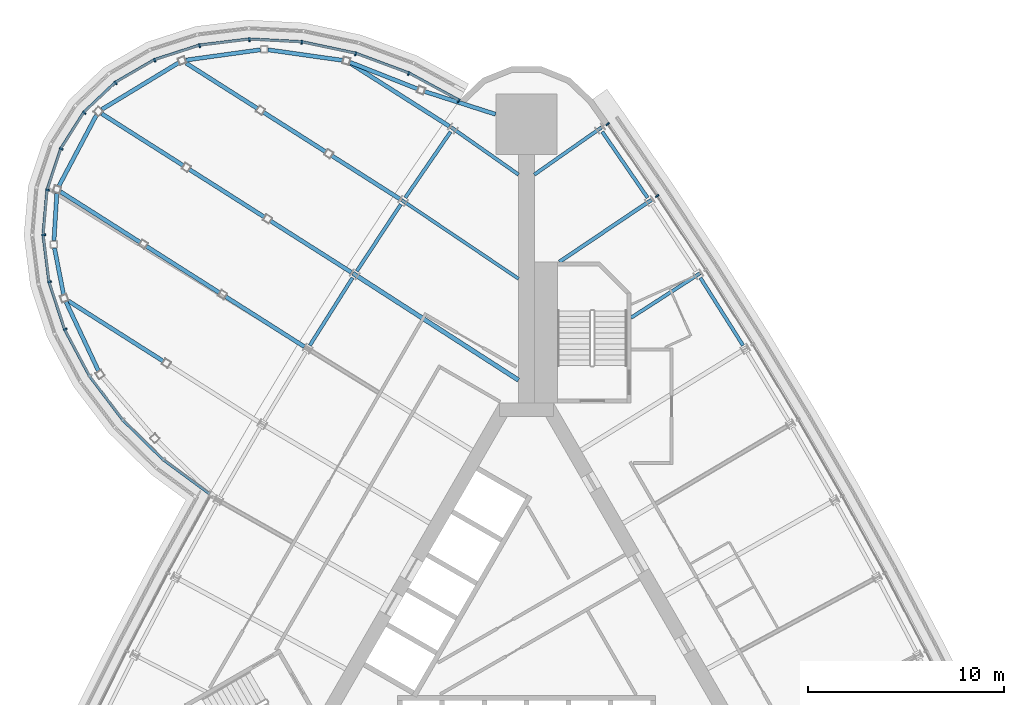
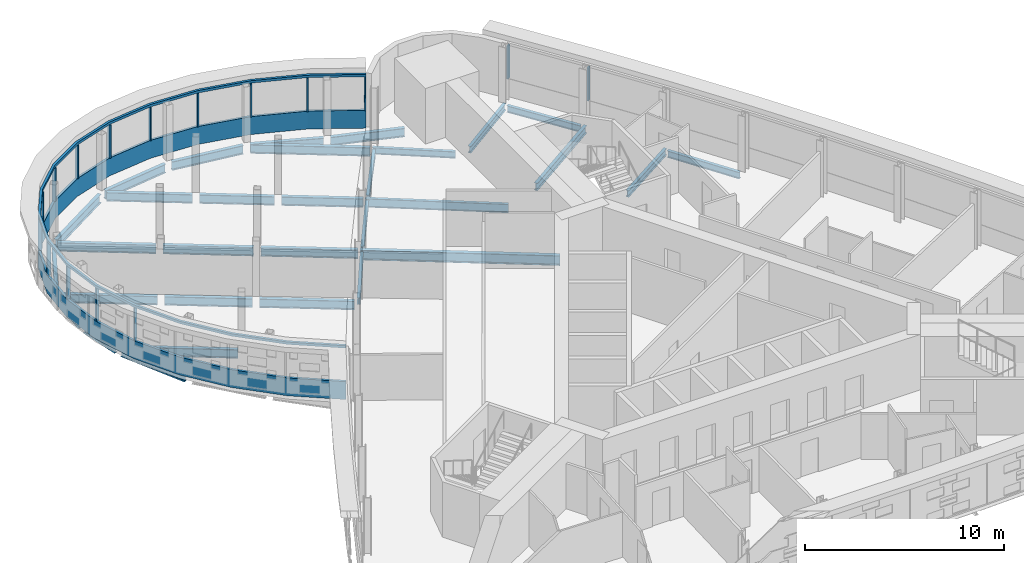
# One storey, part 8 of 17: 31 beams, 18 members, 2 elements without a shape of their own.
"""IFC4 building model written with IfcOpenShell, lengths in metres."""

import ifcopenshell
import ifcopenshell.guid

model = None  # the IFC model being written
_history = None  # IfcOwnerHistory: only IFC2X3 demands one
_inside = {}  # id of a spatial element -> (the spatial element, [elements in it])
_under = {}  # id of a project, library or spatial element -> (it, [spatial elements below it])
_declared = {}  # id of a project -> (the project, [libraries it declares])
_typed = {}  # id of a type object -> (the type object, [elements of that type])
_made_of = {}  # id of a material, layer set ... -> (it, [elements and type objects made of it])


def new_model(schema):
    """Start an empty IFC model of exactly this schema.

    Asked for "IFC4X3", IfcOpenShell would pick the latest addendum, in which some entities
    have other attributes; the version numbers below select the first issue.
    IFC2X3 requires an IfcOwnerHistory on every rooted entity: one is made here for all.
    """
    global model, _history
    if schema == "IFC4X3":
        model = ifcopenshell.file(schema_version=(4, 3, 0, 0))
    else:
        model = ifcopenshell.file(schema=schema)
    _inside.clear()
    _under.clear()
    _declared.clear()
    _typed.clear()
    _made_of.clear()
    _history = None
    if model.schema == "IFC2X3":
        org = make("IfcOrganization", Name="unknown")
        user = make(
            "IfcPersonAndOrganization",
            ThePerson=make("IfcPerson", FamilyName="unknown"),
            TheOrganization=org,
        )
        app = make(
            "IfcApplication",
            ApplicationDeveloper=org,
            Version="unknown",
            ApplicationFullName="unknown",
            ApplicationIdentifier="unknown",
        )
        _history = make(
            "IfcOwnerHistory",
            OwningUser=user,
            OwningApplication=app,
            ChangeAction="ADDED",
            CreationDate=0,
        )
    return model


def make(cls, **values):
    """One entity of the class cls with the attributes given. An attribute that is None is left unset."""
    return model.create_entity(
        cls, **{name: value for name, value in values.items() if value is not None}
    )


def rooted(cls, **values):
    """An entity with a GlobalId (a new one), such as an element, a storey or a relation."""
    return make(cls, GlobalId=ifcopenshell.guid.new(), OwnerHistory=_history, **values)


def si_unit(unit_type, name, prefix=None):
    """IfcSIUnit, for example si_unit("LENGTHUNIT", "METRE", prefix="MILLI")."""
    return make("IfcSIUnit", UnitType=unit_type, Prefix=prefix, Name=name)


def assignment(units):
    """IfcUnitAssignment: the units of a project."""
    return None if units is None else make("IfcUnitAssignment", Units=units)


def point(xyz):
    """IfcCartesianPoint."""
    return None if xyz is None else make("IfcCartesianPoint", Coordinates=xyz)


def direction(xyz):
    """IfcDirection."""
    return None if xyz is None else make("IfcDirection", DirectionRatios=xyz)


def frame(location, z_axis=None, x_axis=None):
    """IfcAxis2Placement3D, a coordinate frame: its origin and axes. An axis left out is left unset."""
    return make(
        "IfcAxis2Placement3D",
        Location=point(location),
        Axis=direction(z_axis),
        RefDirection=direction(x_axis),
    )


def frame_2d(location, x_axis=None):
    """IfcAxis2Placement2D, a coordinate frame in the plane: its origin and x axis."""
    return make(
        "IfcAxis2Placement2D", Location=point(location), RefDirection=direction(x_axis)
    )


def origin():
    """The frame at (0, 0, 0) with its axes left unset."""
    return frame((0.0, 0.0, 0.0))


def origin_2d():
    """The frame at (0, 0) in the plane with its x axis left unset."""
    return frame_2d((0.0, 0.0))


def place(relative_to, where):
    """IfcLocalPlacement: puts the frame where relative to a parent placement (None: the world)."""
    return make(
        "IfcLocalPlacement", PlacementRelTo=relative_to, RelativePlacement=where
    )


def context(
    kind, dimensions, precision=None, world=None, true_north=None, identifier=None
):
    """IfcGeometricRepresentationContext, for example the 3D "Model" context."""
    return make(
        "IfcGeometricRepresentationContext",
        ContextIdentifier=identifier,
        ContextType=kind,
        CoordinateSpaceDimension=dimensions,
        Precision=precision,
        WorldCoordinateSystem=world,
        TrueNorth=true_north,
    )


def subcontext(parent, identifier, kind, view, scale=None):
    """IfcGeometricRepresentationSubContext, for example "Body" below "Model"."""
    return make(
        "IfcGeometricRepresentationSubContext",
        ContextIdentifier=identifier,
        ContextType=kind,
        ParentContext=parent,
        TargetScale=scale,
        TargetView=view,
    )


def project(units=None, contexts=None):
    """IfcProject with its units and contexts."""
    return rooted(
        "IfcProject",
        Name="project",
        RepresentationContexts=contexts,
        UnitsInContext=assignment(units),
    )


def spatial(cls, under=None, at=None, **own):
    """A site, building, storey or space (cls), placed at a placement, below another one or the project."""
    s = rooted(cls, ObjectPlacement=at, **own)
    if under is not None:
        _under.setdefault(under.id(), (under, []))[1].append(s)
    return s


def polyline(points):
    """IfcPolyline through the points."""
    return make("IfcPolyline", Points=[point(p) for p in points])


def profile(cls, at=None, kind="AREA", **sizes):
    """A parametric profile (cls). Its sizes go by their IFC names, for example OverallWidth=200.0."""
    return make(cls, ProfileType=kind, Position=at, **sizes)


def rectangle(**sizes):
    """IfcRectangleProfileDef."""
    return profile("IfcRectangleProfileDef", **sizes)


def i_section(**sizes):
    """IfcIShapeProfileDef."""
    return profile("IfcIShapeProfileDef", **sizes)


def outline(outer, holes=None, kind="AREA"):
    """IfcArbitraryClosedProfileDef: a profile drawn as a closed curve; with holes, ...WithVoids."""
    if holes is None:
        return make("IfcArbitraryClosedProfileDef", ProfileType=kind, OuterCurve=outer)
    return make(
        "IfcArbitraryProfileDefWithVoids",
        ProfileType=kind,
        OuterCurve=outer,
        InnerCurves=holes,
    )


def extrude(swept, where, along, depth):
    """IfcExtrudedAreaSolid: the profile swept, set in the frame where, extruded along a direction by depth."""
    return make(
        "IfcExtrudedAreaSolid",
        SweptArea=swept,
        Position=where,
        ExtrudedDirection=direction(along),
        Depth=depth,
    )


def shape(context_of_items, identifier, shape_type, items):
    """IfcShapeRepresentation: the items that make up one representation, for example the "Body"."""
    return make(
        "IfcShapeRepresentation",
        ContextOfItems=context_of_items,
        RepresentationIdentifier=identifier,
        RepresentationType=shape_type,
        Items=items,
    )


def material(Name=None, Category=None):
    """IfcMaterial."""
    return make("IfcMaterial", Name=Name, Category=Category)


def material_profile(
    of_material, cross_section, Name=None, Category=None, Priority=None
):
    """IfcMaterialProfile: a cross section and its material."""
    return make(
        "IfcMaterialProfile",
        Name=Name,
        Material=of_material,
        Profile=cross_section,
        Priority=Priority,
        Category=Category,
    )


def profile_set(profiles, Name=None, composite=None):
    """IfcMaterialProfileSet."""
    return make(
        "IfcMaterialProfileSet",
        Name=Name,
        MaterialProfiles=profiles,
        CompositeProfile=composite,
    )


def made_of(thing, what):
    """Note that an element or type object is made of a material, layer set ...; save() writes the relation."""
    if what is not None:
        _made_of.setdefault(what.id(), (what, []))[1].append(thing)
    return thing


def type_object(cls, material=None, **own):
    """A type object (cls), such as IfcWallType, which elements share."""
    return made_of(rooted(cls, **own), material)


def element(
    cls,
    number,
    at=None,
    inside=None,
    cuts=None,
    type_object=None,
    material=None,
    context=None,
    identifier="Body",
    shape_type=None,
    held_by="IfcProductDefinitionShape",
    body=None,
    shapes=None,
    **own,
):
    """One element of the class cls, such as IfcWall. Its Tag is "e" and its number.

    at: its placement. inside: the storey or other place that contains it. cuts: it is an
    opening in that element (IfcRelVoidsElement). A single representation is given by context,
    identifier, shape_type and body (its items); several are given by shapes. held_by: the class
    of the entity that holds the representations. save() writes the other relations.
    """
    e = rooted(cls, Tag="e%d" % number, ObjectPlacement=at, **own)
    if body is not None:
        shapes = [shape(context, identifier, shape_type, body)]
    if shapes is not None:
        e.Representation = make(held_by, Representations=shapes)
    if inside is not None:
        _inside.setdefault(inside.id(), (inside, []))[1].append(e)
    if cuts is not None:
        rooted(
            "IfcRelVoidsElement", RelatingBuildingElement=cuts, RelatedOpeningElement=e
        )
    if type_object is not None:
        _typed.setdefault(type_object.id(), (type_object, []))[1].append(e)
    return made_of(e, material)


def aggregate(whole, parts):
    """IfcRelAggregates: a whole, such as a stair, and the parts it consists of."""
    return rooted("IfcRelAggregates", RelatingObject=whole, RelatedObjects=parts)


def save(model, path):
    """Write the relations noted so far, then the file.

    IfcRelAggregates (storeys below a building ...), IfcRelContainedInSpatialStructure (elements
    in a storey), IfcRelDefinesByType, IfcRelAssociatesMaterial and IfcRelDeclares: one each for
    every whole, place, type object, material and project.
    """
    for whole, parts in _under.values():
        aggregate(whole, parts)
    for where, things in _inside.values():
        rooted(
            "IfcRelContainedInSpatialStructure",
            RelatedElements=things,
            RelatingStructure=where,
        )
    for kind, things in _typed.values():
        rooted("IfcRelDefinesByType", RelatedObjects=things, RelatingType=kind)
    for what, things in _made_of.values():
        rooted("IfcRelAssociatesMaterial", RelatedObjects=things, RelatingMaterial=what)
    for by, libraries in _declared.values():
        rooted("IfcRelDeclares", RelatingContext=by, RelatedDefinitions=libraries)
    model.write(path)


model = new_model("IFC4")

# Units and contexts
model_context = context("Model", 3, precision=1e-05, world=origin(), true_north=direction((0.0, 1.0)))
body_context = subcontext(model_context, "Body", "Model", "MODEL_VIEW")
ifc_project = project(units=[si_unit("LENGTHUNIT", "METRE"), si_unit("AREAUNIT", "SQUARE_METRE"), si_unit("VOLUMEUNIT", "CUBIC_METRE"), si_unit("PLANEANGLEUNIT", "RADIAN"), si_unit("MASSUNIT", "GRAM", prefix="KILO")], contexts=[model_context])

# Site, building, storey
site_placement = place(None, origin())
site = spatial("IfcSite", under=ifc_project, at=site_placement, CompositionType="ELEMENT")
building_placement = place(site_placement, origin())
building = spatial("IfcBuilding", under=site, at=building_placement, Name="Noor Cloister Tower", CompositionType="ELEMENT")
storey_placement = place(building_placement, frame((0.0, 0.0, 95.10009765625)))
storey = spatial("IfcBuildingStorey", under=building, at=storey_placement, Name="L24", CompositionType="ELEMENT", Elevation=95.10009765625)

# Curtain wall, member
ifc_material_1 = material(Name="Aluminium 6063-T6 anodised", Category="aluminium")
curtain_wall_type_1 = type_object("IfcCurtainWallType", Name="Sky bar curtain wall, lower bars CW2", PredefinedType="NOTDEFINED", material=ifc_material_1)
curtain_wall_1_placement = place(storey_placement, origin())
curtain_wall_1 = element("IfcCurtainWall", 1, at=curtain_wall_1_placement, inside=storey, type_object=curtain_wall_type_1, Name="CW2 L24 NW sky bar run 1", PredefinedType="NOTDEFINED")
ifc_material_2 = material(Name="Aluminium 6063-T6 anodised", Category="aluminium")
member_type_1 = type_object("IfcMemberType", Name="Head transom CW2 150", PredefinedType="USERDEFINED", material=ifc_material_2)
member_1_placement = place(storey_placement, frame((0.0, 0.0, 3.14990234375)))
member_1 = element("IfcMember", 2, at=member_1_placement, type_object=member_type_1, Name="CW2 head transom", ObjectType="TRANSOM", PredefinedType="USERDEFINED", context=body_context, shape_type="SweptSolid", body=[
    extrude(outline(polyline([(-3.37548828125, 26.95263671875), (-5.96630859375, 28.357666015625), (-8.68701171875, 29.370849609375), (-11.445556640625, 29.9580078125), (-14.147705078125, 30.098876953125), (-16.70166015625, 29.7890625), (-19.02001953125, 29.03857421875), (-21.0244140625, 27.873291015625), (-22.646240234375, 26.332763671875), (-23.830078125, 24.469482421875), (-24.5361328125, 22.34716796875), (-24.739990234375, 20.03759765625), (-24.434814453125, 17.619873046875), (-23.631103515625, 15.17626953125), (-22.35595703125, 12.78955078125), (-20.65283203125, 10.54150390625), (-18.580078125, 8.508544921875), (-16.2080078125, 6.759765625), (-16.125, 6.872314453125), (-18.489013671875, 8.615234375), (-20.547607421875, 10.63427734375), (-22.237548828125, 12.865234375), (-23.501708984375, 15.2314453125), (-24.297607421875, 17.65087890625), (-24.59912109375, 20.040283203125), (-24.398193359375, 22.318603515625), (-23.70263671875, 24.408935546875), (-22.537109375, 26.2431640625), (-20.93994140625, 27.760498046875), (-18.962646484375, 28.909912109375), (-16.67138671875, 29.651611328125), (-14.142822265625, 29.95849609375), (-11.4638671875, 29.81884765625), (-8.726318359375, 29.236083984375), (-6.024169921875, 28.22998046875), (-3.4423828125, 26.82958984375), (-3.37548828125, 26.95263671875)])), origin(), (0.0, 0.0, 1.0), 0.14990234375),
])

# Curtain wall, members
ifc_material_3 = material(Name="Aluminium 6063-T6 anodised", Category="aluminium")
curtain_wall_type_2 = type_object("IfcCurtainWallType", Name="Ribbon curtain wall, lower tower CW1", PredefinedType="NOTDEFINED", material=ifc_material_3)
curtain_wall_2_placement = place(storey_placement, origin())
curtain_wall_2 = element("IfcCurtainWall", 3, at=curtain_wall_2_placement, inside=storey, type_object=curtain_wall_type_2, Name="CW1 L24 NE run 4", PredefinedType="NOTDEFINED")
ifc_material_4 = material(Name="Aluminium 6063-T6 anodised", Category="aluminium")
ifc_material_profile_1 = material_profile(ifc_material_4, rectangle(XDim=0.199951171875, YDim=0.080078125, at=origin_2d()), Name="200 x 80 mullion")
ifc_profile_set_1 = profile_set([ifc_material_profile_1], Name="Aluminium 6063-T6 anodised")
member_type_2 = type_object("IfcMemberType", Name="Mullion CW1 80 x 200", PredefinedType="MULLION", material=ifc_profile_set_1)
member_2_placement = place(storey_placement, frame((6.67138671875, 22.015869140625, 1.099853515625), z_axis=(0.0, 0.0, 1.0), x_axis=(-0.829552633113, -0.558428535173, 0.0)))
member_2 = element("IfcMember", 4, at=member_2_placement, type_object=member_type_2, Name="CW1 mullion 9", PredefinedType="MULLION", context=body_context, shape_type="SweptSolid", body=[
    extrude(rectangle(XDim=0.199951171875, YDim=0.080078125, at=origin_2d()), origin(), (0.0, 0.0, 1.0), 2.050048828125),
])
member_3_placement = place(storey_placement, frame((4.14501953125, 25.690185546875, 1.099853515625), z_axis=(0.0, 0.0, 1.0), x_axis=(-0.8240166995, -0.566565511609, 0.0)))
member_3 = element("IfcMember", 5, at=member_3_placement, type_object=member_type_2, Name="CW1 mullion 10", PredefinedType="MULLION", context=body_context, shape_type="SweptSolid", body=[
    extrude(rectangle(XDim=0.199951171875, YDim=0.080078125, at=origin_2d()), origin(), (0.0, 0.0, 1.0), 2.050048828125),
])
aggregate(curtain_wall_2, [member_2, member_3])

# Member
ifc_material_5 = material(Name="Aluminium 6063-T6 anodised", Category="aluminium")
ifc_material_profile_2 = material_profile(ifc_material_5, rectangle(XDim=0.199951171875, YDim=0.080078125, at=origin_2d()), Name="200 x 80 mullion")
ifc_profile_set_2 = profile_set([ifc_material_profile_2], Name="Aluminium 6063-T6 anodised")
member_type_3 = type_object("IfcMemberType", Name="Mullion CW2 80 x 200", PredefinedType="MULLION", material=ifc_profile_set_2)
member_4_placement = place(storey_placement, frame((-3.45849609375, 26.8837890625, 1.099853515625), z_axis=(0.0, 0.0, 1.0), x_axis=(-0.476733850271, -0.879047686992, 0.0)))
member_4 = element("IfcMember", 6, at=member_4_placement, type_object=member_type_3, Name="CW2 mullion 1", PredefinedType="MULLION", context=body_context, shape_type="SweptSolid", body=[
    extrude(rectangle(XDim=0.199951171875, YDim=0.080078125, at=origin_2d()), origin(), (0.0, 0.0, 1.0), 2.050048828125),
])

member_5_placement = place(storey_placement, frame((-6.007568359375, 28.266357421875, 1.099853515625), z_axis=(0.0, 0.0, 1.0), x_axis=(-0.413885361779, -0.910329010471, 0.0)))
member_5 = element("IfcMember", 7, at=member_5_placement, type_object=member_type_3, Name="CW2 mullion 2", PredefinedType="MULLION", context=body_context, shape_type="SweptSolid", body=[
    extrude(rectangle(XDim=0.199951171875, YDim=0.080078125, at=origin_2d()), origin(), (0.0, 0.0, 1.0), 2.050048828125),
])

member_6_placement = place(storey_placement, frame((-8.715087890625, 29.274658203125, 1.099853515625), z_axis=(0.0, 0.0, 1.0), x_axis=(-0.279338193342, -0.960192779467, 0.0)))
member_6 = element("IfcMember", 8, at=member_6_placement, type_object=member_type_3, Name="CW2 mullion 3", PredefinedType="MULLION", context=body_context, shape_type="SweptSolid", body=[
    extrude(rectangle(XDim=0.199951171875, YDim=0.080078125, at=origin_2d()), origin(), (0.0, 0.0, 1.0), 2.050048828125),
])

member_7_placement = place(storey_placement, frame((-11.458740234375, 29.858642578125, 1.099853515625), z_axis=(0.0, 0.0, 1.0), x_axis=(-0.130537007198, -0.991443437495, 0.0)))
member_7 = element("IfcMember", 9, at=member_7_placement, type_object=member_type_3, Name="CW2 mullion 4", PredefinedType="MULLION", context=body_context, shape_type="SweptSolid", body=[
    extrude(rectangle(XDim=0.199951171875, YDim=0.080078125, at=origin_2d()), origin(), (0.0, 0.0, 1.0), 2.050048828125),
])

member_8_placement = place(storey_placement, frame((-14.144287109375, 29.99853515625, 1.099853515625), z_axis=(0.0, 0.0, 1.0), x_axis=(0.034339163222, -0.999410237024, 0.0)))
member_8 = element("IfcMember", 10, at=member_8_placement, type_object=member_type_3, Name="CW2 mullion 5", PredefinedType="MULLION", context=body_context, shape_type="SweptSolid", body=[
    extrude(rectangle(XDim=0.199951171875, YDim=0.080078125, at=origin_2d()), origin(), (0.0, 0.0, 1.0), 2.050048828125),
])

member_9_placement = place(storey_placement, frame((-16.679931640625, 29.69091796875, 1.099853515625), z_axis=(0.0, 0.0, 1.0), x_axis=(0.215217945533, -0.976566042785, 0.0)))
member_9 = element("IfcMember", 11, at=member_9_placement, type_object=member_type_3, Name="CW2 mullion 6", PredefinedType="MULLION", context=body_context, shape_type="SweptSolid", body=[
    extrude(rectangle(XDim=0.199951171875, YDim=0.080078125, at=origin_2d()), origin(), (0.0, 0.0, 1.0), 2.050048828125),
])

member_10_placement = place(storey_placement, frame((-18.97900390625, 28.94677734375, 1.099853515625), z_axis=(0.0, 0.0, 1.0), x_axis=(0.407603993051, -0.91315879498, 0.0)))
member_10 = element("IfcMember", 12, at=member_10_placement, type_object=member_type_3, Name="CW2 mullion 7", PredefinedType="MULLION", context=body_context, shape_type="SweptSolid", body=[
    extrude(rectangle(XDim=0.199951171875, YDim=0.080078125, at=origin_2d()), origin(), (0.0, 0.0, 1.0), 2.050048828125),
])

member_11_placement = place(storey_placement, frame((-20.9638671875, 27.792724609375, 1.099853515625), z_axis=(0.0, 0.0, 1.0), x_axis=(0.599728606641, -0.800203473109, 0.0)))
member_11 = element("IfcMember", 13, at=member_11_placement, type_object=member_type_3, Name="CW2 mullion 8", PredefinedType="MULLION", context=body_context, shape_type="SweptSolid", body=[
    extrude(rectangle(XDim=0.199951171875, YDim=0.080078125, at=origin_2d()), origin(), (0.0, 0.0, 1.0), 2.050048828125),
])

member_12_placement = place(storey_placement, frame((-22.568359375, 26.268798828125, 1.099853515625), z_axis=(0.0, 0.0, 1.0), x_axis=(0.772133014619, -0.635460941156, 0.0)))
member_12 = element("IfcMember", 14, at=member_12_placement, type_object=member_type_3, Name="CW2 mullion 9", PredefinedType="MULLION", context=body_context, shape_type="SweptSolid", body=[
    extrude(rectangle(XDim=0.199951171875, YDim=0.080078125, at=origin_2d()), origin(), (0.0, 0.0, 1.0), 2.050048828125),
])

member_13_placement = place(storey_placement, frame((-23.7392578125, 24.42626953125, 1.099853515625), z_axis=(0.0, 0.0, 1.0), x_axis=(0.903208899388, -0.429201216292, 0.0)))
member_13 = element("IfcMember", 15, at=member_13_placement, type_object=member_type_3, Name="CW2 mullion 10", PredefinedType="MULLION", context=body_context, shape_type="SweptSolid", body=[
    extrude(rectangle(XDim=0.199951171875, YDim=0.080078125, at=origin_2d()), origin(), (0.0, 0.0, 1.0), 2.050048828125),
])

member_14_placement = place(storey_placement, frame((-24.4375, 22.32666015625, 1.099853515625), z_axis=(0.0, 0.0, 1.0), x_axis=(0.979146575689, -0.203155072094, 0.0)))
member_14 = element("IfcMember", 16, at=member_14_placement, type_object=member_type_3, Name="CW2 mullion 11", PredefinedType="MULLION", context=body_context, shape_type="SweptSolid", body=[
    extrude(rectangle(XDim=0.199951171875, YDim=0.080078125, at=origin_2d()), origin(), (0.0, 0.0, 1.0), 2.050048828125),
])

member_15_placement = place(storey_placement, frame((-24.639404296875, 20.03955078125, 1.099853515625), z_axis=(0.0, 0.0, 1.0), x_axis=(0.999824146621, 0.01875302198, 0.0)))
member_15 = element("IfcMember", 17, at=member_15_placement, type_object=member_type_3, Name="CW2 mullion 12", PredefinedType="MULLION", context=body_context, shape_type="SweptSolid", body=[
    extrude(rectangle(XDim=0.199951171875, YDim=0.080078125, at=origin_2d()), origin(), (0.0, 0.0, 1.0), 2.050048828125),
])

member_16_placement = place(storey_placement, frame((-24.3369140625, 17.64208984375, 1.099853515625), z_axis=(0.0, 0.0, 1.0), x_axis=(0.975532134226, 0.21985689685, 0.0)))
member_16 = element("IfcMember", 18, at=member_16_placement, type_object=member_type_3, Name="CW2 mullion 13", PredefinedType="MULLION", context=body_context, shape_type="SweptSolid", body=[
    extrude(rectangle(XDim=0.199951171875, YDim=0.080078125, at=origin_2d()), origin(), (0.0, 0.0, 1.0), 2.050048828125),
])

member_17_placement = place(storey_placement, frame((-23.538818359375, 15.215576171875, 1.099853515625), z_axis=(0.0, 0.0, 1.0), x_axis=(0.91940282099, 0.393317241875, 0.0)))
member_17 = element("IfcMember", 19, at=member_17_placement, type_object=member_type_3, Name="CW2 mullion 14", PredefinedType="MULLION", context=body_context, shape_type="SweptSolid", body=[
    extrude(rectangle(XDim=0.199951171875, YDim=0.080078125, at=origin_2d()), origin(), (0.0, 0.0, 1.0), 2.050048828125),
])

# Beams
ifc_material_6 = material(Name="Steel ASTM A992 Gr 50", Category="steel")
ifc_material_profile_3 = material_profile(ifc_material_6, i_section(OverallWidth=0.208984375, OverallDepth=0.532958984375, WebThickness=0.01025390625, FlangeThickness=0.015625, FilletRadius=0.0126953125, at=origin_2d()), Name="W530x92")
ifc_profile_set_3 = profile_set([ifc_material_profile_3], Name="Steel ASTM A992 Gr 50")
beam_type_1 = type_object("IfcBeamType", Name="Pod floor beam W530x92", PredefinedType="BEAM", material=ifc_profile_set_3)
beam_1_placement = place(storey_placement, frame((-3.92724609375, 25.5732421875, -0.466552734375), z_axis=(-0.843989215704, 0.536360143724, 0.0), x_axis=(-0.536360143724, -0.843989215704, 0.0)))
element("IfcBeam", 20, at=beam_1_placement, inside=storey, type_object=beam_type_1, Name="Pod floor beam 2 L24 line 1 span 1", PredefinedType="BEAM", context=body_context, shape_type="SweptSolid", body=[
    extrude(i_section(OverallWidth=0.208984375, OverallDepth=0.532958984375, WebThickness=0.01025390625, FlangeThickness=0.015625, FilletRadius=0.0126953125, at=origin_2d()), origin(), (0.0, 0.0, 1.0), 6.00927734375),
])
beam_2_placement = place(storey_placement, frame((-6.46875, 21.873046875, -0.466552734375), z_axis=(-0.843972285971, 0.536386782566, 0.0), x_axis=(-0.536386782566, -0.843972285971, 0.0)))
element("IfcBeam", 21, at=beam_2_placement, inside=storey, type_object=beam_type_1, Name="Pod floor beam 2 L24 line 2 span 1", PredefinedType="BEAM", context=body_context, shape_type="SweptSolid", body=[
    extrude(i_section(OverallWidth=0.208984375, OverallDepth=0.532958984375, WebThickness=0.01025390625, FlangeThickness=0.015625, FilletRadius=0.0126953125, at=origin_2d()), origin(), (0.0, 0.0, 1.0), 4.10595703125),
])
beam_3_placement = place(storey_placement, frame((-10.234619140625, 24.266357421875, -0.466552734375), z_axis=(-0.843997356309, 0.536347333865, 0.0), x_axis=(-0.536347333865, -0.843997356309, 0.0)))
element("IfcBeam", 22, at=beam_3_placement, inside=storey, type_object=beam_type_1, Name="Pod floor beam 2 L24 line 2 span 2", PredefinedType="BEAM", context=body_context, shape_type="SweptSolid", body=[
    extrude(i_section(OverallWidth=0.208984375, OverallDepth=0.532958984375, WebThickness=0.01025390625, FlangeThickness=0.015625, FilletRadius=0.0126953125, at=origin_2d()), origin(), (0.0, 0.0, 1.0), 3.76953125),
])
beam_4_placement = place(storey_placement, frame((-13.716552734375, 26.47900390625, -0.466552734375), z_axis=(-0.844008122909, 0.536330391143, 0.0), x_axis=(-0.536330391143, -0.844008122909, 0.0)))
element("IfcBeam", 23, at=beam_4_placement, inside=storey, type_object=beam_type_1, Name="Pod floor beam 2 L24 line 2 span 3", PredefinedType="BEAM", context=body_context, shape_type="SweptSolid", body=[
    extrude(i_section(OverallWidth=0.208984375, OverallDepth=0.532958984375, WebThickness=0.01025390625, FlangeThickness=0.015625, FilletRadius=0.0126953125, at=origin_2d()), origin(), (0.0, 0.0, 1.0), 4.319091796875),
])
beam_5_placement = place(storey_placement, frame((-8.93701171875, 18.12353515625, -0.466552734375), z_axis=(-0.843994576077, 0.536351708818, 0.0), x_axis=(-0.536351708818, -0.843994576077, 0.0)))
element("IfcBeam", 24, at=beam_5_placement, inside=storey, type_object=beam_type_1, Name="Pod floor beam 2 L24 line 3 span 1", PredefinedType="BEAM", context=body_context, shape_type="SweptSolid", body=[
    extrude(i_section(OverallWidth=0.208984375, OverallDepth=0.532958984375, WebThickness=0.01025390625, FlangeThickness=0.015625, FilletRadius=0.0126953125, at=origin_2d()), origin(), (0.0, 0.0, 1.0), 4.886962890625),
])
beam_6_placement = place(storey_placement, frame((-13.362060546875, 20.935546875, -0.466552734375), z_axis=(-0.844003591589, 0.536337521888, 0.0), x_axis=(-0.536337521888, -0.844003591589, 0.0)))
element("IfcBeam", 25, at=beam_6_placement, inside=storey, type_object=beam_type_1, Name="Pod floor beam 2 L24 line 3 span 2", PredefinedType="BEAM", context=body_context, shape_type="SweptSolid", body=[
    extrude(i_section(OverallWidth=0.208984375, OverallDepth=0.532958984375, WebThickness=0.01025390625, FlangeThickness=0.015625, FilletRadius=0.0126953125, at=origin_2d()), origin(), (0.0, 0.0, 1.0), 4.552490234375),
])
beam_7_placement = place(storey_placement, frame((-17.504638671875, 23.568115234375, -0.466552734375), z_axis=(-0.843986539522, 0.536364354805, 0.0), x_axis=(-0.536364354805, -0.843986539522, 0.0)))
element("IfcBeam", 26, at=beam_7_placement, inside=storey, type_object=beam_type_1, Name="Pod floor beam 2 L24 line 3 span 3", PredefinedType="BEAM", context=body_context, shape_type="SweptSolid", body=[
    extrude(i_section(OverallWidth=0.208984375, OverallDepth=0.532958984375, WebThickness=0.01025390625, FlangeThickness=0.015625, FilletRadius=0.0126953125, at=origin_2d()), origin(), (0.0, 0.0, 1.0), 4.946044921875),
])
beam_8_placement = place(storey_placement, frame((-11.33349609375, 14.32763671875, -0.466552734375), z_axis=(-0.844000855951, 0.536341826781, 0.0), x_axis=(-0.536341826781, -0.844000855951, 0.0)))
element("IfcBeam", 27, at=beam_8_placement, inside=storey, type_object=beam_type_1, Name="Pod floor beam 2 L24 line 4 span 1", PredefinedType="BEAM", context=body_context, shape_type="SweptSolid", body=[
    extrude(i_section(OverallWidth=0.208984375, OverallDepth=0.532958984375, WebThickness=0.01025390625, FlangeThickness=0.015625, FilletRadius=0.0126953125, at=origin_2d()), origin(), (0.0, 0.0, 1.0), 4.766845703125),
])
beam_9_placement = place(storey_placement, frame((-15.6572265625, 17.0751953125, -0.466552734375), z_axis=(-0.844003834016, 0.536337140394, 0.0), x_axis=(-0.536337140394, -0.844003834016, 0.0)))
element("IfcBeam", 28, at=beam_9_placement, inside=storey, type_object=beam_type_1, Name="Pod floor beam 2 L24 line 4 span 2", PredefinedType="BEAM", context=body_context, shape_type="SweptSolid", body=[
    extrude(i_section(OverallWidth=0.208984375, OverallDepth=0.532958984375, WebThickness=0.01025390625, FlangeThickness=0.015625, FilletRadius=0.0126953125, at=origin_2d()), origin(), (0.0, 0.0, 1.0), 4.431884765625),
])
beam_10_placement = place(storey_placement, frame((-19.697998046875, 19.643310546875, -0.466552734375), z_axis=(-0.844006413162, 0.536333081714, 0.0), x_axis=(-0.536333081714, -0.844006413162, 0.0)))
element("IfcBeam", 29, at=beam_10_placement, inside=storey, type_object=beam_type_1, Name="Pod floor beam 2 L24 line 4 span 3", PredefinedType="BEAM", context=body_context, shape_type="SweptSolid", body=[
    extrude(i_section(OverallWidth=0.208984375, OverallDepth=0.532958984375, WebThickness=0.01025390625, FlangeThickness=0.015625, FilletRadius=0.0126953125, at=origin_2d()), origin(), (0.0, 0.0, 1.0), 4.835693359375),
])
beam_11_placement = place(storey_placement, frame((-18.521728515625, 13.578125, -0.466552734375), z_axis=(-0.844002290761, 0.536339568921, 0.0), x_axis=(-0.536339568921, -0.844002290761, 0.0)))
element("IfcBeam", 30, at=beam_11_placement, inside=storey, type_object=beam_type_1, Name="Pod floor beam 2 L24 line 5 span 2", PredefinedType="BEAM", context=body_context, shape_type="SweptSolid", body=[
    extrude(i_section(OverallWidth=0.208984375, OverallDepth=0.532958984375, WebThickness=0.01025390625, FlangeThickness=0.015625, FilletRadius=0.0126953125, at=origin_2d()), origin(), (0.0, 0.0, 1.0), 5.749267578125),
])
beam_12_placement = place(storey_placement, frame((-1.581787109375, 26.192138671875, -0.466552734375), z_axis=(-0.952053300832, 0.305932202252, 0.0), x_axis=(-0.305932202252, -0.952053300832, 0.0)))
element("IfcBeam", 31, at=beam_12_placement, inside=storey, type_object=beam_type_1, Name="Pod floor beam 2 L24 ring 1", PredefinedType="BEAM", context=body_context, shape_type="SweptSolid", body=[
    extrude(i_section(OverallWidth=0.208984375, OverallDepth=0.532958984375, WebThickness=0.01025390625, FlangeThickness=0.015625, FilletRadius=0.0126953125, at=origin_2d()), origin(), (0.0, 0.0, 1.0), 3.798583984375),
])
beam_13_placement = place(storey_placement, frame((-5.5400390625, 27.47607421875, -0.466552734375), z_axis=(-0.930165819352, 0.367139685283, 0.0), x_axis=(-0.367139685283, -0.930165819352, 0.0)))
element("IfcBeam", 32, at=beam_13_placement, inside=storey, type_object=beam_type_1, Name="Pod floor beam 2 L24 ring 2", PredefinedType="BEAM", context=body_context, shape_type="SweptSolid", body=[
    extrude(i_section(OverallWidth=0.208984375, OverallDepth=0.532958984375, WebThickness=0.01025390625, FlangeThickness=0.015625, FilletRadius=0.0126953125, at=origin_2d()), origin(), (0.0, 0.0, 1.0), 3.7265625),
])
beam_14_placement = place(storey_placement, frame((-9.374267578125, 28.94140625, -0.466552734375), z_axis=(-0.990158547514, 0.139950172509, 0.0), x_axis=(-0.139950172509, -0.990158547514, 0.0)))
element("IfcBeam", 33, at=beam_14_placement, inside=storey, type_object=beam_type_1, Name="Pod floor beam 2 L24 ring 3", PredefinedType="BEAM", context=body_context, shape_type="SweptSolid", body=[
    extrude(i_section(OverallWidth=0.208984375, OverallDepth=0.532958984375, WebThickness=0.01025390625, FlangeThickness=0.015625, FilletRadius=0.0126953125, at=origin_2d()), origin(), (0.0, 0.0, 1.0), 3.85693359375),
])
beam_15_placement = place(storey_placement, frame((-13.578369140625, 29.48193359375, -0.466552734375), z_axis=(-0.990551600656, -0.137140535357, 0.0), x_axis=(0.137140535357, -0.990551600656, 0.0)))
element("IfcBeam", 34, at=beam_15_placement, inside=storey, type_object=beam_type_1, Name="Pod floor beam 2 L24 ring 4", PredefinedType="BEAM", context=body_context, shape_type="SweptSolid", body=[
    extrude(i_section(OverallWidth=0.208984375, OverallDepth=0.532958984375, WebThickness=0.01025390625, FlangeThickness=0.015625, FilletRadius=0.0126953125, at=origin_2d()), origin(), (0.0, 0.0, 1.0), 3.82568359375),
])
beam_16_placement = place(storey_placement, frame((-17.74365234375, 28.824951171875, -0.466552734375), z_axis=(-0.85463846229, -0.519223553755, 0.0), x_axis=(0.519223553755, -0.85463846229, 0.0)))
element("IfcBeam", 35, at=beam_16_placement, inside=storey, type_object=beam_type_1, Name="Pod floor beam 2 L24 ring 5", PredefinedType="BEAM", context=body_context, shape_type="SweptSolid", body=[
    extrude(i_section(OverallWidth=0.208984375, OverallDepth=0.532958984375, WebThickness=0.01025390625, FlangeThickness=0.015625, FilletRadius=0.0126953125, at=origin_2d()), origin(), (0.0, 0.0, 1.0), 4.59423828125),
])
beam_17_placement = place(storey_placement, frame((-21.951416015625, 26.13916015625, -0.466552734375), z_axis=(-0.467511937822, -0.883986757816, 0.0), x_axis=(0.883986757816, -0.467511937822, 0.0)))
element("IfcBeam", 36, at=beam_17_placement, inside=storey, type_object=beam_type_1, Name="Pod floor beam 2 L24 ring 6", PredefinedType="BEAM", context=body_context, shape_type="SweptSolid", body=[
    extrude(i_section(OverallWidth=0.208984375, OverallDepth=0.532958984375, WebThickness=0.01025390625, FlangeThickness=0.015625, FilletRadius=0.0126953125, at=origin_2d()), origin(), (0.0, 0.0, 1.0), 4.090087890625),
])
beam_18_placement = place(storey_placement, frame((-23.968505859375, 22.136962890625, -0.466552734375), z_axis=(-0.06003423324, -0.998196318787, 0.0), x_axis=(0.998196318787, -0.06003423324, 0.0)))
element("IfcBeam", 37, at=beam_18_placement, inside=storey, type_object=beam_type_1, Name="Pod floor beam 2 L24 ring 7", PredefinedType="BEAM", context=body_context, shape_type="SweptSolid", body=[
    extrude(i_section(OverallWidth=0.208984375, OverallDepth=0.532958984375, WebThickness=0.01025390625, FlangeThickness=0.015625, FilletRadius=0.0126953125, at=origin_2d()), origin(), (0.0, 0.0, 1.0), 2.3994140625),
])
beam_19_placement = place(storey_placement, frame((-24.0869140625, 19.3603515625, -0.466552734375), z_axis=(0.192153252739, -0.981364930829, 0.0), x_axis=(0.981364930829, 0.192153252739, 0.0)))
element("IfcBeam", 38, at=beam_19_placement, inside=storey, type_object=beam_type_1, Name="Pod floor beam 2 L24 ring 8", PredefinedType="BEAM", context=body_context, shape_type="SweptSolid", body=[
    extrude(i_section(OverallWidth=0.208984375, OverallDepth=0.532958984375, WebThickness=0.01025390625, FlangeThickness=0.015625, FilletRadius=0.0126953125, at=origin_2d()), origin(), (0.0, 0.0, 1.0), 2.41796875),
])
beam_20_placement = place(storey_placement, frame((-23.50439453125, 16.62451171875, -0.466552734375), z_axis=(0.425493149697, -0.904961645354, 0.0), x_axis=(0.904961645354, 0.425493149697, 0.0)))
element("IfcBeam", 39, at=beam_20_placement, inside=storey, type_object=beam_type_1, Name="Pod floor beam 2 L24 ring 9", PredefinedType="BEAM", context=body_context, shape_type="SweptSolid", body=[
    extrude(i_section(OverallWidth=0.208984375, OverallDepth=0.532958984375, WebThickness=0.01025390625, FlangeThickness=0.015625, FilletRadius=0.0126953125, at=origin_2d()), origin(), (0.0, 0.0, 1.0), 3.907958984375),
])
ifc_material_7 = material(Name="Steel ASTM A992 Gr 50", Category="steel")
ifc_material_profile_4 = material_profile(ifc_material_7, i_section(OverallWidth=0.177978515625, OverallDepth=0.406005859375, WebThickness=0.0078125, FlangeThickness=0.0126953125, FilletRadius=0.01025390625, at=origin_2d()), Name="W410x60")
ifc_profile_set_4 = profile_set([ifc_material_profile_4], Name="Steel ASTM A992 Gr 50")
beam_type_2 = type_object("IfcBeamType", Name="Radial beam W410x60", PredefinedType="BEAM", material=ifc_profile_set_4)
beam_21_placement = place(storey_placement, frame((-3.8369140625, 25.521484375, -0.403076171875), z_axis=(0.818400808942, -0.574647819036, 0.0), x_axis=(0.574647819036, 0.818400808942, 0.0)))
element("IfcBeam", 40, at=beam_21_placement, inside=storey, type_object=beam_type_2, Name="Radial beam NW 01 L24", PredefinedType="BEAM", context=body_context, shape_type="SweptSolid", body=[
    extrude(i_section(OverallWidth=0.177978515625, OverallDepth=0.406005859375, WebThickness=0.0078125, FlangeThickness=0.0126953125, FilletRadius=0.01025390625, at=origin_2d()), origin(), (0.0, 0.0, 1.0), 4.19970703125),
])
beam_22_placement = place(storey_placement, frame((8.8525390625, 18.070556640625, -0.403076171875), z_axis=(-0.840390940062, -0.541980689565, 0.0), x_axis=(0.541980689565, -0.840390940062, 0.0)))
element("IfcBeam", 41, at=beam_22_placement, inside=storey, type_object=beam_type_2, Name="Radial beam NE 08 L24", PredefinedType="BEAM", context=body_context, shape_type="SweptSolid", body=[
    extrude(i_section(OverallWidth=0.177978515625, OverallDepth=0.406005859375, WebThickness=0.0078125, FlangeThickness=0.0126953125, FilletRadius=0.01025390625, at=origin_2d()), origin(), (0.0, 0.0, 1.0), 4.184814453125),
])
beam_23_placement = place(storey_placement, frame((3.8369140625, 25.521484375, -0.403076171875), z_axis=(-0.818400808942, -0.574647819036, 0.0), x_axis=(0.574647819036, -0.818400808942, 0.0)))
element("IfcBeam", 42, at=beam_23_placement, inside=storey, type_object=beam_type_2, Name="Radial beam NE 10 L24", PredefinedType="BEAM", context=body_context, shape_type="SweptSolid", body=[
    extrude(i_section(OverallWidth=0.177978515625, OverallDepth=0.406005859375, WebThickness=0.0078125, FlangeThickness=0.0126953125, FilletRadius=0.01025390625, at=origin_2d()), origin(), (0.0, 0.0, 1.0), 4.19970703125),
])
ifc_material_8 = material(Name="Steel ASTM A992 Gr 50", Category="steel")
ifc_material_profile_5 = material_profile(ifc_material_8, i_section(OverallWidth=0.19091796875, OverallDepth=0.45703125, WebThickness=0.009033203125, FlangeThickness=0.014404296875, FilletRadius=0.01025390625, at=origin_2d()), Name="W460x74")
ifc_profile_set_5 = profile_set([ifc_material_profile_5], Name="Steel ASTM A992 Gr 50")
beam_type_3 = type_object("IfcBeamType", Name="Radial beam W460x74", PredefinedType="BEAM", material=ifc_profile_set_5)
beam_24_placement = place(storey_placement, frame((6.38134765625, 21.82080078125, -0.4287109375), z_axis=(-0.829556274272, -0.558423126147, 0.0), x_axis=(0.558423126147, -0.829556274272, 0.0)))
element("IfcBeam", 43, at=beam_24_placement, inside=storey, type_object=beam_type_3, Name="Radial beam NE 09 L24", PredefinedType="BEAM", context=body_context, shape_type="SweptSolid", body=[
    extrude(i_section(OverallWidth=0.19091796875, OverallDepth=0.45703125, WebThickness=0.009033203125, FlangeThickness=0.014404296875, FilletRadius=0.01025390625, at=origin_2d()), origin(), (0.0, 0.0, 1.0), 5.66650390625),
])
ifc_material_9 = material(Name="Steel ASTM A992 Gr 50", Category="steel")
ifc_material_profile_6 = material_profile(ifc_material_9, i_section(OverallWidth=0.166015625, OverallDepth=0.528076171875, WebThickness=0.009765625, FlangeThickness=0.013671875, FilletRadius=0.0126953125, at=origin_2d()), Name="W530x74")
ifc_profile_set_6 = profile_set([ifc_material_profile_6], Name="Steel ASTM A992 Gr 50")
beam_type_4 = type_object("IfcBeamType", Name="Radial beam W530x74", PredefinedType="BEAM", material=ifc_profile_set_6)
beam_25_placement = place(storey_placement, frame((-6.38134765625, 21.82080078125, -0.464111328125), z_axis=(0.829546725, -0.55843731165, 0.0), x_axis=(0.55843731165, 0.829546725, 0.0)))
element("IfcBeam", 44, at=beam_25_placement, inside=storey, type_object=beam_type_4, Name="Radial beam NW 02 L24", PredefinedType="BEAM", context=body_context, shape_type="SweptSolid", body=[
    extrude(i_section(OverallWidth=0.166015625, OverallDepth=0.528076171875, WebThickness=0.009765625, FlangeThickness=0.013671875, FilletRadius=0.0126953125, at=origin_2d()), origin(), (0.0, 0.0, 1.0), 7.21044921875),
])
ifc_material_10 = material(Name="Steel ASTM A992 Gr 50", Category="steel")
ifc_material_profile_7 = material_profile(ifc_material_10, i_section(OverallWidth=0.22802734375, OverallDepth=0.60205078125, WebThickness=0.010498046875, FlangeThickness=0.014892578125, FilletRadius=0.0126953125, at=origin_2d()), Name="W610x101")
ifc_profile_set_7 = profile_set([ifc_material_profile_7], Name="Steel ASTM A992 Gr 50")
beam_type_5 = type_object("IfcBeamType", Name="Radial beam W610x101", PredefinedType="BEAM", material=ifc_profile_set_7)
beam_26_placement = place(storey_placement, frame((-8.8525390625, 18.070556640625, -0.5009765625), z_axis=(0.840393657028, -0.541976476637, 0.0), x_axis=(0.541976476637, 0.840393657028, 0.0)))
element("IfcBeam", 45, at=beam_26_placement, inside=storey, type_object=beam_type_5, Name="Radial beam NW 03 L24", PredefinedType="BEAM", context=body_context, shape_type="SweptSolid", body=[
    extrude(i_section(OverallWidth=0.22802734375, OverallDepth=0.60205078125, WebThickness=0.010498046875, FlangeThickness=0.014892578125, FilletRadius=0.0126953125, at=origin_2d()), origin(), (0.0, 0.0, 1.0), 10.057861328125),
])

# Member
ifc_material_11 = material(Name="Aluminium 6063-T6 anodised", Category="aluminium")
member_type_4 = type_object("IfcMemberType", Name="Sill transom CW2 1100", PredefinedType="USERDEFINED", material=ifc_material_11)
member_18_placement = place(storey_placement, origin())
member_18 = element("IfcMember", 46, at=member_18_placement, type_object=member_type_4, Name="CW2 sill transom", ObjectType="TRANSOM", PredefinedType="USERDEFINED", context=body_context, shape_type="SweptSolid", body=[
    extrude(outline(polyline([(-3.37548828125, 26.95263671875), (-5.96630859375, 28.357666015625), (-8.68701171875, 29.370849609375), (-11.445556640625, 29.9580078125), (-14.147705078125, 30.098876953125), (-16.70166015625, 29.7890625), (-19.02001953125, 29.03857421875), (-21.0244140625, 27.873291015625), (-22.646240234375, 26.332763671875), (-23.830078125, 24.469482421875), (-24.5361328125, 22.34716796875), (-24.739990234375, 20.03759765625), (-24.434814453125, 17.619873046875), (-23.631103515625, 15.17626953125), (-22.35595703125, 12.78955078125), (-20.65283203125, 10.54150390625), (-18.580078125, 8.508544921875), (-16.2080078125, 6.759765625), (-16.125, 6.872314453125), (-18.489013671875, 8.615234375), (-20.547607421875, 10.63427734375), (-22.237548828125, 12.865234375), (-23.501708984375, 15.2314453125), (-24.297607421875, 17.65087890625), (-24.59912109375, 20.040283203125), (-24.398193359375, 22.318603515625), (-23.70263671875, 24.408935546875), (-22.537109375, 26.2431640625), (-20.93994140625, 27.760498046875), (-18.962646484375, 28.909912109375), (-16.67138671875, 29.651611328125), (-14.142822265625, 29.95849609375), (-11.4638671875, 29.81884765625), (-8.726318359375, 29.236083984375), (-6.024169921875, 28.22998046875), (-3.4423828125, 26.82958984375), (-3.37548828125, 26.95263671875)])), origin(), (0.0, 0.0, 1.0), 1.099853515625),
])

aggregate(curtain_wall_1, [member_4, member_5, member_6, member_7, member_8, member_9, member_10, member_11, member_12, member_13, member_14, member_15, member_16, member_17, member_18, member_1])

# Beams
ifc_material_12 = material(Name="Steel ASTM A992 Gr 50", Category="steel")
ifc_material_profile_8 = material_profile(ifc_material_12, i_section(OverallWidth=0.177978515625, OverallDepth=0.406005859375, WebThickness=0.0078125, FlangeThickness=0.0126953125, FilletRadius=0.01025390625, at=origin_2d()), Name="W410x60")
ifc_profile_set_8 = profile_set([ifc_material_profile_8], Name="Steel ASTM A992 Gr 50")
beam_type_6 = type_object("IfcBeamType", Name="Spandrel beam W410x60", PredefinedType="SPANDREL", material=ifc_profile_set_8)
for number, where, z_axis, x_axis, name in (
    (47, (-3.8681640625, 25.29833984375, -0.403076171875), (-0.566564305905, -0.8240175285, 0.0), (0.8240175285, -0.566564305905, 0.0), "Spandrel beam NW 01 L24"),
    (48, (-6.408203125, 21.59716796875, -0.403076171875), (-0.550254695105, -0.834996868566, 0.0), (0.834996868566, -0.550254695105, 0.0), "Spandrel beam NW 02 L24"),
    (49, (-8.875, 17.8466796875, -0.403076171875), (-0.533703118947, -0.845671910865, 0.0), (0.845671910865, -0.533703118947, 0.0), "Spandrel beam NW 03 L24"),
    (50, (11.056884765625, 14.389404296875, -0.403076171875), (-0.533703118947, 0.845671910865, 0.0), (-0.845671910865, -0.533703118947, 0.0), "Spandrel beam NE 07 L24"),
    (51, (6.184326171875, 21.9296875, -0.403076171875), (-0.566564305905, 0.8240175285, 0.0), (-0.8240175285, -0.566564305905, 0.0), "Spandrel beam NE 09 L24"),
):
    element("IfcBeam", number, at=place(storey_placement, frame(where, z_axis=z_axis, x_axis=x_axis)), inside=storey, type_object=beam_type_6, Name=name, PredefinedType="SPANDREL", context=body_context, shape_type="SweptSolid", body=[
        extrude(i_section(OverallWidth=0.177978515625, OverallDepth=0.406005859375, WebThickness=0.0078125, FlangeThickness=0.0126953125, FilletRadius=0.01025390625, at=origin_2d()), origin(), (0.0, 0.0, 1.0), 4.088134765625),
    ])

save(model, "model.ifc")
